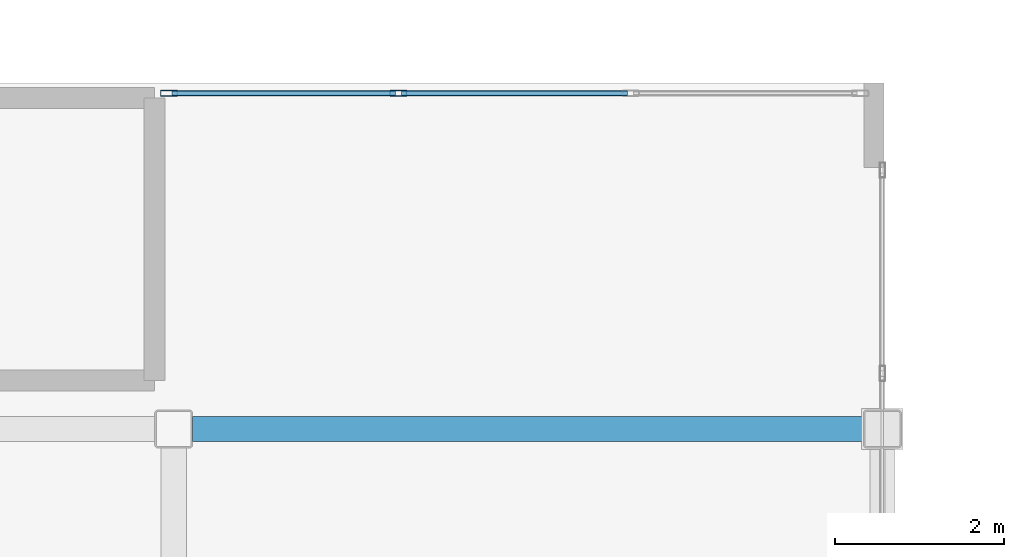
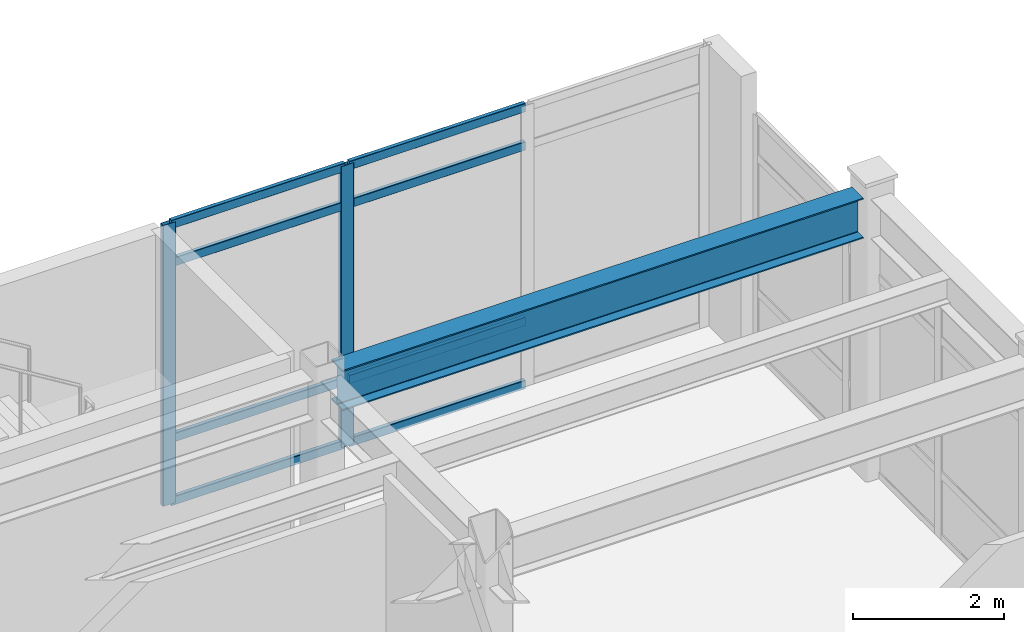
# One storey, part 88 of 172: 10 members, 1 beam, 1 element without a shape of its own.
"""IFC4 building model written with IfcOpenShell, lengths in metres."""

from ifc_helpers import new_model, si_unit, direction, frame, origin, origin_2d, place, context, subcontext, project, spatial, hollow_rectangle, i_section, extrude, material, layer, layer_set, material_profile, profile_set, type_object, element, aggregate, save


model = new_model("IFC4")

# Units and contexts
model_context = context("Model", 3, precision=1e-05, world=origin(), true_north=direction((0.0, 1.0)))
body_context = subcontext(model_context, "Body", "Model", "MODEL_VIEW")
ifc_project = project(units=[si_unit("LENGTHUNIT", "METRE"), si_unit("AREAUNIT", "SQUARE_METRE"), si_unit("VOLUMEUNIT", "CUBIC_METRE"), si_unit("PLANEANGLEUNIT", "RADIAN"), si_unit("MASSUNIT", "GRAM", prefix="KILO")], contexts=[model_context])

# Site, building, storey
site_placement = place(None, origin())
site = spatial("IfcSite", under=ifc_project, at=site_placement, CompositionType="ELEMENT")
building_placement = place(site_placement, origin())
building = spatial("IfcBuilding", under=site, at=building_placement, Name="Kazehara Bluff Congress Hotel", CompositionType="ELEMENT")
storey_placement = place(building_placement, frame((0.0, 0.0, 5.39990234375)))
storey = spatial("IfcBuildingStorey", under=building, at=storey_placement, Name="L01", CompositionType="ELEMENT", Elevation=5.39990234375)

# Curtain wall, members
ifc_material_1 = material(Name="Anodised aluminium", Category="aluminium")
ifc_layer = layer(ifc_material_1, 0.159912109375)
ifc_layer_set = layer_set([ifc_layer], Name="Anodised aluminium")
curtain_wall_type = type_object("IfcCurtainWallType", Name="TP-CW-111", PredefinedType="NOTDEFINED", material=ifc_layer_set)
curtain_wall_placement = place(storey_placement, origin())
curtain_wall = element("IfcCurtainWall", 1, at=curtain_wall_placement, inside=storey, type_object=curtain_wall_type, Name="L01 curtain wall CW-111 CW-ENC-V3-L01-9689-11388", PredefinedType="NOTDEFINED")
ifc_material_2 = material(Name="Anodised aluminium", Category="aluminium")
ifc_material_profile_1 = material_profile(ifc_material_2, hollow_rectangle(XDim=0.070068359375, YDim=0.199951171875, WallThickness=0.0048828125, InnerFilletRadius=0.0048828125, OuterFilletRadius=0.010009765625, at=origin_2d()))
ifc_profile_set_1 = profile_set([ifc_material_profile_1], Name="Anodised aluminium")
member_type_1 = type_object("IfcMemberType", Name="TP-CWM-03", PredefinedType="MULLION", material=ifc_profile_set_1)
member_1_placement = place(storey_placement, frame((92.794921875, 113.8798828125, 0.0), z_axis=(0.0, 0.0, 1.0), x_axis=(0.0, 1.0, 0.0)))
member_1 = element("IfcMember", 2, at=member_1_placement, type_object=member_type_1, Name="CW-111 mullion 1", PredefinedType="MULLION", context=body_context, shape_type="SweptSolid", body=[
    extrude(hollow_rectangle(XDim=0.070068359375, YDim=0.199951171875, WallThickness=0.0048828125, InnerFilletRadius=0.0048828125, OuterFilletRadius=0.010009765625, at=origin_2d()), origin(), (0.0, 0.0, 1.0), 4.53515625),
])
member_2_placement = place(storey_placement, frame((95.513427734375, 113.8798828125, 0.0), z_axis=(0.0, 0.0, 1.0), x_axis=(0.0, 1.0, 0.0)))
member_2 = element("IfcMember", 3, at=member_2_placement, type_object=member_type_1, Name="CW-111 mullion 2", PredefinedType="MULLION", context=body_context, shape_type="SweptSolid", body=[
    extrude(hollow_rectangle(XDim=0.070068359375, YDim=0.199951171875, WallThickness=0.0048828125, InnerFilletRadius=0.0048828125, OuterFilletRadius=0.010009765625, at=origin_2d()), origin(), (0.0, 0.0, 1.0), 4.53515625),
])
ifc_material_3 = material(Name="Anodised aluminium", Category="aluminium")
ifc_material_profile_2 = material_profile(ifc_material_3, hollow_rectangle(XDim=0.06494140625, YDim=0.139892578125, WallThickness=0.00390625, InnerFilletRadius=0.00390625, OuterFilletRadius=0.008056640625, at=origin_2d()))
ifc_profile_set_2 = profile_set([ifc_material_profile_2], Name="Anodised aluminium")
member_type_2 = type_object("IfcMemberType", Name="TP-CWT-02", PredefinedType="USERDEFINED", material=ifc_profile_set_2)
member_3_placement = place(storey_placement, frame((92.830078125, 113.8798828125, 0.03271484375), z_axis=(1.0, 0.0, 0.0), x_axis=(0.0, 1.0, 0.0)))
member_3 = element("IfcMember", 4, at=member_3_placement, type_object=member_type_2, Name="CW-111 transom 1.1", ObjectType="TRANSOM", PredefinedType="USERDEFINED", context=body_context, shape_type="SweptSolid", body=[
    extrude(hollow_rectangle(XDim=0.06494140625, YDim=0.139892578125, WallThickness=0.00390625, InnerFilletRadius=0.00390625, OuterFilletRadius=0.008056640625, at=origin_2d()), origin(), (0.0, 0.0, 1.0), 2.648193359375),
])
member_4_placement = place(storey_placement, frame((92.830078125, 113.8798828125, 1.050048828125), z_axis=(1.0, 0.0, 0.0), x_axis=(0.0, 1.0, 0.0)))
member_4 = element("IfcMember", 5, at=member_4_placement, type_object=member_type_2, Name="CW-111 transom 1.2", ObjectType="TRANSOM", PredefinedType="USERDEFINED", context=body_context, shape_type="SweptSolid", body=[
    extrude(hollow_rectangle(XDim=0.06494140625, YDim=0.139892578125, WallThickness=0.00390625, InnerFilletRadius=0.00390625, OuterFilletRadius=0.008056640625, at=origin_2d()), origin(), (0.0, 0.0, 1.0), 2.648193359375),
])
member_5_placement = place(storey_placement, frame((92.830078125, 113.8798828125, 3.885009765625), z_axis=(1.0, 0.0, 0.0), x_axis=(0.0, 1.0, 0.0)))
member_5 = element("IfcMember", 6, at=member_5_placement, type_object=member_type_2, Name="CW-111 transom 1.3", ObjectType="TRANSOM", PredefinedType="USERDEFINED", context=body_context, shape_type="SweptSolid", body=[
    extrude(hollow_rectangle(XDim=0.06494140625, YDim=0.139892578125, WallThickness=0.00390625, InnerFilletRadius=0.00390625, OuterFilletRadius=0.008056640625, at=origin_2d()), origin(), (0.0, 0.0, 1.0), 2.648193359375),
])
member_6_placement = place(storey_placement, frame((92.830078125, 113.8798828125, 4.502685546875), z_axis=(1.0, 0.0, 0.0), x_axis=(0.0, 1.0, 0.0)))
member_6 = element("IfcMember", 7, at=member_6_placement, type_object=member_type_2, Name="CW-111 transom 1.4", ObjectType="TRANSOM", PredefinedType="USERDEFINED", context=body_context, shape_type="SweptSolid", body=[
    extrude(hollow_rectangle(XDim=0.06494140625, YDim=0.139892578125, WallThickness=0.00390625, InnerFilletRadius=0.00390625, OuterFilletRadius=0.008056640625, at=origin_2d()), origin(), (0.0, 0.0, 1.0), 2.648193359375),
])
member_7_placement = place(storey_placement, frame((95.54833984375, 113.8798828125, 0.03271484375), z_axis=(1.0, 0.0, 0.0), x_axis=(0.0, 1.0, 0.0)))
member_7 = element("IfcMember", 8, at=member_7_placement, type_object=member_type_2, Name="CW-111 transom 2.1", ObjectType="TRANSOM", PredefinedType="USERDEFINED", context=body_context, shape_type="SweptSolid", body=[
    extrude(hollow_rectangle(XDim=0.06494140625, YDim=0.139892578125, WallThickness=0.00390625, InnerFilletRadius=0.00390625, OuterFilletRadius=0.008056640625, at=origin_2d()), origin(), (0.0, 0.0, 1.0), 2.683349609375),
])
member_8_placement = place(storey_placement, frame((95.54833984375, 113.8798828125, 1.050048828125), z_axis=(1.0, 0.0, 0.0), x_axis=(0.0, 1.0, 0.0)))
member_8 = element("IfcMember", 9, at=member_8_placement, type_object=member_type_2, Name="CW-111 transom 2.2", ObjectType="TRANSOM", PredefinedType="USERDEFINED", context=body_context, shape_type="SweptSolid", body=[
    extrude(hollow_rectangle(XDim=0.06494140625, YDim=0.139892578125, WallThickness=0.00390625, InnerFilletRadius=0.00390625, OuterFilletRadius=0.008056640625, at=origin_2d()), origin(), (0.0, 0.0, 1.0), 2.683349609375),
])
member_9_placement = place(storey_placement, frame((95.54833984375, 113.8798828125, 3.885009765625), z_axis=(1.0, 0.0, 0.0), x_axis=(0.0, 1.0, 0.0)))
member_9 = element("IfcMember", 10, at=member_9_placement, type_object=member_type_2, Name="CW-111 transom 2.3", ObjectType="TRANSOM", PredefinedType="USERDEFINED", context=body_context, shape_type="SweptSolid", body=[
    extrude(hollow_rectangle(XDim=0.06494140625, YDim=0.139892578125, WallThickness=0.00390625, InnerFilletRadius=0.00390625, OuterFilletRadius=0.008056640625, at=origin_2d()), origin(), (0.0, 0.0, 1.0), 2.683349609375),
])
member_10_placement = place(storey_placement, frame((95.54833984375, 113.8798828125, 4.502685546875), z_axis=(1.0, 0.0, 0.0), x_axis=(0.0, 1.0, 0.0)))
member_10 = element("IfcMember", 11, at=member_10_placement, type_object=member_type_2, Name="CW-111 transom 2.4", ObjectType="TRANSOM", PredefinedType="USERDEFINED", context=body_context, shape_type="SweptSolid", body=[
    extrude(hollow_rectangle(XDim=0.06494140625, YDim=0.139892578125, WallThickness=0.00390625, InnerFilletRadius=0.00390625, OuterFilletRadius=0.008056640625, at=origin_2d()), origin(), (0.0, 0.0, 1.0), 2.683349609375),
])
aggregate(curtain_wall, [member_1, member_2, member_3, member_4, member_5, member_6, member_7, member_8, member_9, member_10])

# Beam
ifc_material_4 = material(Name="Steel SN490B", Category="steel")
ifc_material_profile_3 = material_profile(ifc_material_4, i_section(OverallWidth=0.300048828125, OverallDepth=0.64990234375, WebThickness=0.011962890625, FlangeThickness=0.02001953125, FilletRadius=0.012939453125, at=origin_2d()))
ifc_profile_set_3 = profile_set([ifc_material_profile_3], Name="Steel SN490B")
beam_type = type_object("IfcBeamType", Name="TP-G-03", PredefinedType="BEAM", material=ifc_profile_set_3)
beam_placement = place(storey_placement, frame((93.074951171875, 109.89990234375, 4.22509765625), z_axis=(1.0, 0.0, 0.0), x_axis=(0.0, 1.0, 0.0)))
element("IfcBeam", 12, at=beam_placement, inside=storey, type_object=beam_type, Name="L01 girder G-03 147", PredefinedType="BEAM", context=body_context, shape_type="SweptSolid", body=[
    extrude(i_section(OverallWidth=0.300048828125, OverallDepth=0.64990234375, WebThickness=0.011962890625, FlangeThickness=0.02001953125, FilletRadius=0.012939453125, at=origin_2d()), origin(), (0.0, 0.0, 1.0), 7.949951171875),
])

save(model, "model.ifc")
